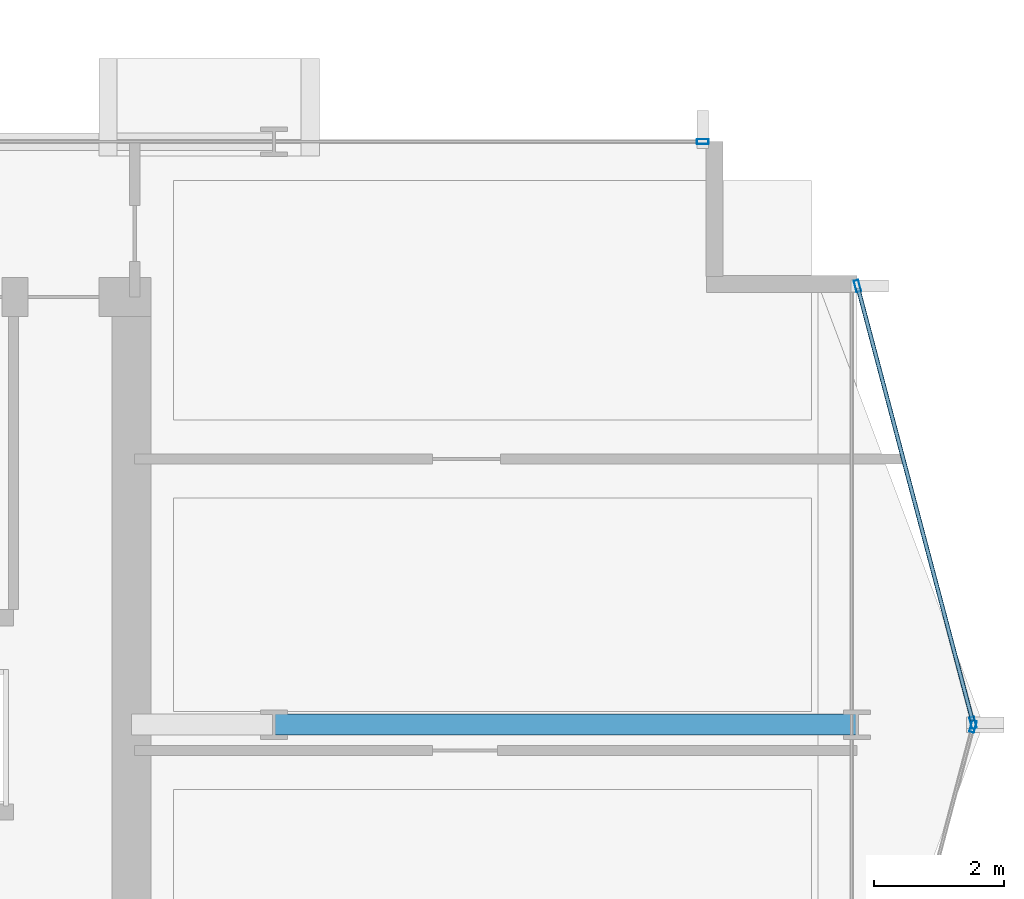
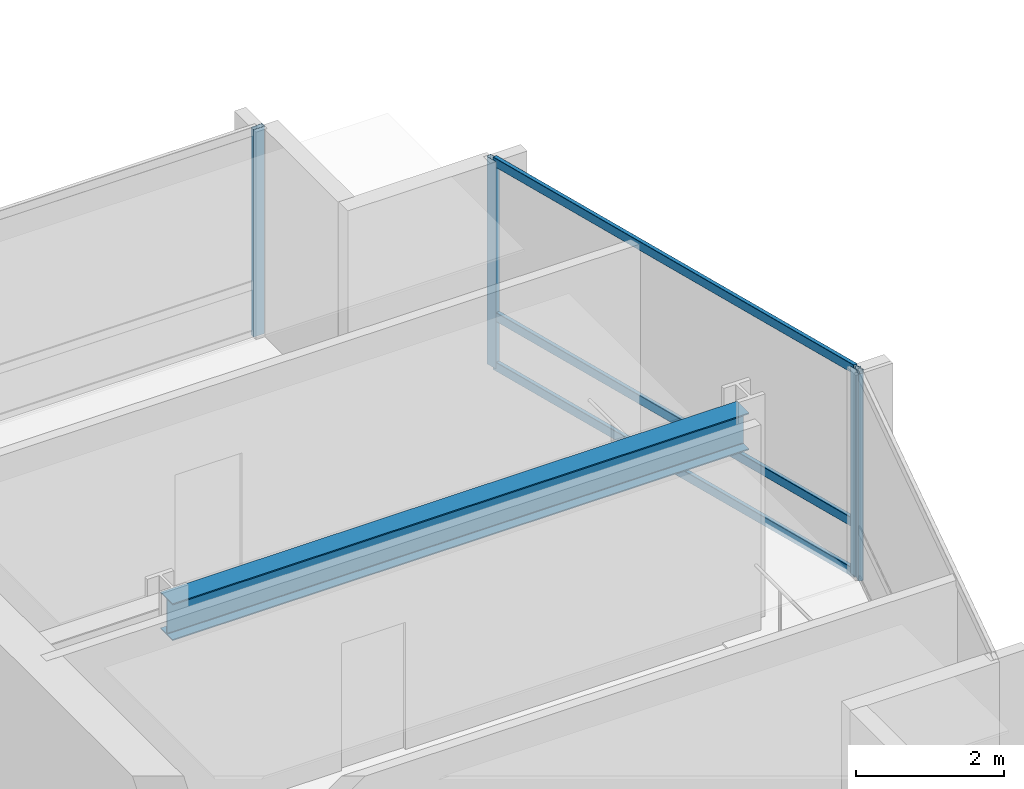
# One storey, part 14 of 29: 7 members, 1 beam, 3 elements without a shape of their own.
"""IFC4 building model written with IfcOpenShell, lengths in metres."""

import ifcopenshell
import ifcopenshell.guid

model = None  # the IFC model being written
_history = None  # IfcOwnerHistory: only IFC2X3 demands one
_inside = {}  # id of a spatial element -> (the spatial element, [elements in it])
_under = {}  # id of a project, library or spatial element -> (it, [spatial elements below it])
_declared = {}  # id of a project -> (the project, [libraries it declares])
_typed = {}  # id of a type object -> (the type object, [elements of that type])
_made_of = {}  # id of a material, layer set ... -> (it, [elements and type objects made of it])


def new_model(schema):
    """Start an empty IFC model of exactly this schema.

    Asked for "IFC4X3", IfcOpenShell would pick the latest addendum, in which some entities
    have other attributes; the version numbers below select the first issue.
    IFC2X3 requires an IfcOwnerHistory on every rooted entity: one is made here for all.
    """
    global model, _history
    if schema == "IFC4X3":
        model = ifcopenshell.file(schema_version=(4, 3, 0, 0))
    else:
        model = ifcopenshell.file(schema=schema)
    _inside.clear()
    _under.clear()
    _declared.clear()
    _typed.clear()
    _made_of.clear()
    _history = None
    if model.schema == "IFC2X3":
        org = make("IfcOrganization", Name="unknown")
        user = make(
            "IfcPersonAndOrganization",
            ThePerson=make("IfcPerson", FamilyName="unknown"),
            TheOrganization=org,
        )
        app = make(
            "IfcApplication",
            ApplicationDeveloper=org,
            Version="unknown",
            ApplicationFullName="unknown",
            ApplicationIdentifier="unknown",
        )
        _history = make(
            "IfcOwnerHistory",
            OwningUser=user,
            OwningApplication=app,
            ChangeAction="ADDED",
            CreationDate=0,
        )
    return model


def make(cls, **values):
    """One entity of the class cls with the attributes given. An attribute that is None is left unset."""
    return model.create_entity(
        cls, **{name: value for name, value in values.items() if value is not None}
    )


def rooted(cls, **values):
    """An entity with a GlobalId (a new one), such as an element, a storey or a relation."""
    return make(cls, GlobalId=ifcopenshell.guid.new(), OwnerHistory=_history, **values)


def si_unit(unit_type, name, prefix=None):
    """IfcSIUnit, for example si_unit("LENGTHUNIT", "METRE", prefix="MILLI")."""
    return make("IfcSIUnit", UnitType=unit_type, Prefix=prefix, Name=name)


def assignment(units):
    """IfcUnitAssignment: the units of a project."""
    return None if units is None else make("IfcUnitAssignment", Units=units)


def point(xyz):
    """IfcCartesianPoint."""
    return None if xyz is None else make("IfcCartesianPoint", Coordinates=xyz)


def direction(xyz):
    """IfcDirection."""
    return None if xyz is None else make("IfcDirection", DirectionRatios=xyz)


def frame(location, z_axis=None, x_axis=None):
    """IfcAxis2Placement3D, a coordinate frame: its origin and axes. An axis left out is left unset."""
    return make(
        "IfcAxis2Placement3D",
        Location=point(location),
        Axis=direction(z_axis),
        RefDirection=direction(x_axis),
    )


def frame_2d(location, x_axis=None):
    """IfcAxis2Placement2D, a coordinate frame in the plane: its origin and x axis."""
    return make(
        "IfcAxis2Placement2D", Location=point(location), RefDirection=direction(x_axis)
    )


def origin():
    """The frame at (0, 0, 0) with its axes left unset."""
    return frame((0.0, 0.0, 0.0))


def origin_2d():
    """The frame at (0, 0) in the plane with its x axis left unset."""
    return frame_2d((0.0, 0.0))


def place(relative_to, where):
    """IfcLocalPlacement: puts the frame where relative to a parent placement (None: the world)."""
    return make(
        "IfcLocalPlacement", PlacementRelTo=relative_to, RelativePlacement=where
    )


def context(
    kind, dimensions, precision=None, world=None, true_north=None, identifier=None
):
    """IfcGeometricRepresentationContext, for example the 3D "Model" context."""
    return make(
        "IfcGeometricRepresentationContext",
        ContextIdentifier=identifier,
        ContextType=kind,
        CoordinateSpaceDimension=dimensions,
        Precision=precision,
        WorldCoordinateSystem=world,
        TrueNorth=true_north,
    )


def subcontext(parent, identifier, kind, view, scale=None):
    """IfcGeometricRepresentationSubContext, for example "Body" below "Model"."""
    return make(
        "IfcGeometricRepresentationSubContext",
        ContextIdentifier=identifier,
        ContextType=kind,
        ParentContext=parent,
        TargetScale=scale,
        TargetView=view,
    )


def project(units=None, contexts=None):
    """IfcProject with its units and contexts."""
    return rooted(
        "IfcProject",
        Name="project",
        RepresentationContexts=contexts,
        UnitsInContext=assignment(units),
    )


def spatial(cls, under=None, at=None, **own):
    """A site, building, storey or space (cls), placed at a placement, below another one or the project."""
    s = rooted(cls, ObjectPlacement=at, **own)
    if under is not None:
        _under.setdefault(under.id(), (under, []))[1].append(s)
    return s


def profile(cls, at=None, kind="AREA", **sizes):
    """A parametric profile (cls). Its sizes go by their IFC names, for example OverallWidth=200.0."""
    return make(cls, ProfileType=kind, Position=at, **sizes)


def hollow_rectangle(**sizes):
    """IfcRectangleHollowProfileDef."""
    return profile("IfcRectangleHollowProfileDef", **sizes)


def i_section(**sizes):
    """IfcIShapeProfileDef."""
    return profile("IfcIShapeProfileDef", **sizes)


def extrude(swept, where, along, depth):
    """IfcExtrudedAreaSolid: the profile swept, set in the frame where, extruded along a direction by depth."""
    return make(
        "IfcExtrudedAreaSolid",
        SweptArea=swept,
        Position=where,
        ExtrudedDirection=direction(along),
        Depth=depth,
    )


def shape(context_of_items, identifier, shape_type, items):
    """IfcShapeRepresentation: the items that make up one representation, for example the "Body"."""
    return make(
        "IfcShapeRepresentation",
        ContextOfItems=context_of_items,
        RepresentationIdentifier=identifier,
        RepresentationType=shape_type,
        Items=items,
    )


def material(Name=None, Category=None):
    """IfcMaterial."""
    return make("IfcMaterial", Name=Name, Category=Category)


def layer(
    of_material, thickness, ventilated=None, Name=None, Category=None, Priority=None
):
    """IfcMaterialLayer: one layer of a wall or slab, of a material (None: an air gap)."""
    return make(
        "IfcMaterialLayer",
        Material=of_material,
        LayerThickness=thickness,
        IsVentilated=ventilated,
        Name=Name,
        Category=Category,
        Priority=Priority,
    )


def layer_set(layers, Name=None):
    """IfcMaterialLayerSet."""
    return make("IfcMaterialLayerSet", MaterialLayers=layers, LayerSetName=Name)


def material_profile(
    of_material, cross_section, Name=None, Category=None, Priority=None
):
    """IfcMaterialProfile: a cross section and its material."""
    return make(
        "IfcMaterialProfile",
        Name=Name,
        Material=of_material,
        Profile=cross_section,
        Priority=Priority,
        Category=Category,
    )


def profile_set(profiles, Name=None, composite=None):
    """IfcMaterialProfileSet."""
    return make(
        "IfcMaterialProfileSet",
        Name=Name,
        MaterialProfiles=profiles,
        CompositeProfile=composite,
    )


def made_of(thing, what):
    """Note that an element or type object is made of a material, layer set ...; save() writes the relation."""
    if what is not None:
        _made_of.setdefault(what.id(), (what, []))[1].append(thing)
    return thing


def type_object(cls, material=None, **own):
    """A type object (cls), such as IfcWallType, which elements share."""
    return made_of(rooted(cls, **own), material)


def element(
    cls,
    number,
    at=None,
    inside=None,
    cuts=None,
    type_object=None,
    material=None,
    context=None,
    identifier="Body",
    shape_type=None,
    held_by="IfcProductDefinitionShape",
    body=None,
    shapes=None,
    **own,
):
    """One element of the class cls, such as IfcWall. Its Tag is "e" and its number.

    at: its placement. inside: the storey or other place that contains it. cuts: it is an
    opening in that element (IfcRelVoidsElement). A single representation is given by context,
    identifier, shape_type and body (its items); several are given by shapes. held_by: the class
    of the entity that holds the representations. save() writes the other relations.
    """
    e = rooted(cls, Tag="e%d" % number, ObjectPlacement=at, **own)
    if body is not None:
        shapes = [shape(context, identifier, shape_type, body)]
    if shapes is not None:
        e.Representation = make(held_by, Representations=shapes)
    if inside is not None:
        _inside.setdefault(inside.id(), (inside, []))[1].append(e)
    if cuts is not None:
        rooted(
            "IfcRelVoidsElement", RelatingBuildingElement=cuts, RelatedOpeningElement=e
        )
    if type_object is not None:
        _typed.setdefault(type_object.id(), (type_object, []))[1].append(e)
    return made_of(e, material)


def aggregate(whole, parts):
    """IfcRelAggregates: a whole, such as a stair, and the parts it consists of."""
    return rooted("IfcRelAggregates", RelatingObject=whole, RelatedObjects=parts)


def save(model, path):
    """Write the relations noted so far, then the file.

    IfcRelAggregates (storeys below a building ...), IfcRelContainedInSpatialStructure (elements
    in a storey), IfcRelDefinesByType, IfcRelAssociatesMaterial and IfcRelDeclares: one each for
    every whole, place, type object, material and project.
    """
    for whole, parts in _under.values():
        aggregate(whole, parts)
    for where, things in _inside.values():
        rooted(
            "IfcRelContainedInSpatialStructure",
            RelatedElements=things,
            RelatingStructure=where,
        )
    for kind, things in _typed.values():
        rooted("IfcRelDefinesByType", RelatedObjects=things, RelatingType=kind)
    for what, things in _made_of.values():
        rooted("IfcRelAssociatesMaterial", RelatedObjects=things, RelatingMaterial=what)
    for by, libraries in _declared.values():
        rooted("IfcRelDeclares", RelatingContext=by, RelatedDefinitions=libraries)
    model.write(path)


model = new_model("IFC4")

# Units and contexts
model_context = context("Model", 3, precision=1e-05, world=origin(), true_north=direction((0.0, 1.0)))
body_context = subcontext(model_context, "Body", "Model", "MODEL_VIEW")
ifc_project = project(units=[si_unit("LENGTHUNIT", "METRE"), si_unit("AREAUNIT", "SQUARE_METRE"), si_unit("VOLUMEUNIT", "CUBIC_METRE"), si_unit("PLANEANGLEUNIT", "RADIAN"), si_unit("MASSUNIT", "GRAM", prefix="KILO")], contexts=[model_context])

# Site, building, storey
site_placement = place(None, origin())
site = spatial("IfcSite", under=ifc_project, at=site_placement, CompositionType="ELEMENT")
building_placement = place(site_placement, origin())
building = spatial("IfcBuilding", under=site, at=building_placement, Name="Solvaryn Broadcast Tower", CompositionType="ELEMENT")
storey_placement = place(building_placement, frame((0.0, 0.0, 117.39990234375)))
storey = spatial("IfcBuildingStorey", under=building, at=storey_placement, Name="L28", CompositionType="ELEMENT", Elevation=117.39990234375)

# Beam
ifc_material_1 = material(Name="Steel ASTM A992 Grade 50", Category="steel")
ifc_material_profile_1 = material_profile(ifc_material_1, i_section(OverallWidth=0.323974609375, OverallDepth=0.611083984375, WebThickness=0.0126953125, FlangeThickness=0.01904296875, FilletRadius=0.014892578125, at=origin_2d()))
ifc_profile_set_1 = profile_set([ifc_material_profile_1], Name="Steel ASTM A992 Grade 50")
beam_type = type_object("IfcBeamType", Name="BM-B1-W24X104", PredefinedType="BEAM", material=ifc_profile_set_1)
beam_placement = place(storey_placement, frame((45.0, 18.0, 3.114501953125), z_axis=(1.0, 0.0, 0.0), x_axis=(0.0, 1.0, 0.0)))
element("IfcBeam", 1, at=beam_placement, inside=storey, type_object=beam_type, Name="L28 Primary Beam X (45-54 @ Y=18)", PredefinedType="BEAM", context=body_context, shape_type="SweptSolid", body=[
    extrude(i_section(OverallWidth=0.323974609375, OverallDepth=0.611083984375, WebThickness=0.0126953125, FlangeThickness=0.01904296875, FilletRadius=0.014892578125, at=origin_2d()), origin(), (0.0, 0.0, 1.0), 9.0),
])

# Curtain wall, members
ifc_material_2 = material(Name="Aluminium and Terracotta Unitised Curtain Wall", Category="masonry")
ifc_layer = layer(ifc_material_2, 0.199951171875)
ifc_layer_set = layer_set([ifc_layer], Name="CW-SYS2-LOWMID")
curtain_wall_type = type_object("IfcCurtainWallType", Name="CW-SYS2-LOWMID", PredefinedType="NOTDEFINED", material=ifc_layer_set)
curtain_wall_1_placement = place(storey_placement, origin())
curtain_wall_1 = element("IfcCurtainWall", 2, at=curtain_wall_1_placement, inside=storey, type_object=curtain_wall_type, Name="L28 Curtain Wall ET1", PredefinedType="NOTDEFINED")
ifc_material_3 = material(Name="Anodised Aluminium 6063-T6", Category="aluminium")
ifc_material_profile_2 = material_profile(ifc_material_3, hollow_rectangle(XDim=0.074951171875, YDim=0.179931640625, WallThickness=0.00390625, InnerFilletRadius=0.00390625, OuterFilletRadius=0.008056640625, at=origin_2d()))
ifc_profile_set_2 = profile_set([ifc_material_profile_2], Name="Anodised Aluminium 6063-T6")
member_type_1 = type_object("IfcMemberType", Name="CW-MUL-180", PredefinedType="MULLION", material=ifc_profile_set_2)
member_1_placement = place(storey_placement, frame((54.007568359375, 24.77099609375, 0.0), z_axis=(0.0, 0.0, 1.0), x_axis=(0.966705227863, 0.25589256031, 0.0)))
member_1 = element("IfcMember", 3, at=member_1_placement, type_object=member_type_1, Name="CWS2 mullion 1", PredefinedType="MULLION", context=body_context, shape_type="SweptSolid", body=[
    extrude(hollow_rectangle(XDim=0.074951171875, YDim=0.179931640625, WallThickness=0.00390625, InnerFilletRadius=0.00390625, OuterFilletRadius=0.008056640625, at=origin_2d()), origin(), (0.0, 0.0, 1.0), 3.420166015625),
])
member_2_placement = place(storey_placement, frame((55.792236328125, 18.029052734375, 0.0), z_axis=(0.0, 0.0, 1.0), x_axis=(0.966705227863, 0.25589256031, 0.0)))
member_2 = element("IfcMember", 4, at=member_2_placement, type_object=member_type_1, Name="CWS2 mullion 2", PredefinedType="MULLION", context=body_context, shape_type="SweptSolid", body=[
    extrude(hollow_rectangle(XDim=0.074951171875, YDim=0.179931640625, WallThickness=0.00390625, InnerFilletRadius=0.00390625, OuterFilletRadius=0.008056640625, at=origin_2d()), origin(), (0.0, 0.0, 1.0), 3.420166015625),
])

# Curtain wall, member
curtain_wall_2_placement = place(storey_placement, origin())
curtain_wall_2 = element("IfcCurtainWall", 5, at=curtain_wall_2_placement, inside=storey, type_object=curtain_wall_type, Name="L28 Curtain Wall ET2", PredefinedType="NOTDEFINED")
member_3_placement = place(storey_placement, frame((55.792236328125, 17.970947265625, 0.0), z_axis=(0.0, 0.0, 1.0), x_axis=(0.966705227863, -0.25589256031, 0.0)))
member_3 = element("IfcMember", 6, at=member_3_placement, type_object=member_type_1, Name="CWS2 mullion 1", PredefinedType="MULLION", context=body_context, shape_type="SweptSolid", body=[
    extrude(hollow_rectangle(XDim=0.074951171875, YDim=0.179931640625, WallThickness=0.00390625, InnerFilletRadius=0.00390625, OuterFilletRadius=0.008056640625, at=origin_2d()), origin(), (0.0, 0.0, 1.0), 3.420166015625),
])
aggregate(curtain_wall_2, [member_3])

curtain_wall_3_placement = place(storey_placement, origin())
curtain_wall_3 = element("IfcCurtainWall", 7, at=curtain_wall_3_placement, inside=storey, type_object=curtain_wall_type, Name="L28 Curtain Wall IH", PredefinedType="NOTDEFINED")
member_4_placement = place(storey_placement, frame((51.6201171875, 27.0, 0.0), z_axis=(0.0, 0.0, 1.0), x_axis=(0.0, 1.0, 0.0)))
member_4 = element("IfcMember", 8, at=member_4_placement, type_object=member_type_1, Name="CWS2 mullion 2", PredefinedType="MULLION", context=body_context, shape_type="SweptSolid", body=[
    extrude(hollow_rectangle(XDim=0.074951171875, YDim=0.179931640625, WallThickness=0.00390625, InnerFilletRadius=0.00390625, OuterFilletRadius=0.008056640625, at=origin_2d()), origin(), (0.0, 0.0, 1.0), 3.420166015625),
])
aggregate(curtain_wall_3, [member_4])

# Member
ifc_material_4 = material(Name="Anodised Aluminium 6063-T6", Category="aluminium")
ifc_material_profile_3 = material_profile(ifc_material_4, hollow_rectangle(XDim=0.06494140625, YDim=0.14990234375, WallThickness=0.00390625, InnerFilletRadius=0.00390625, OuterFilletRadius=0.008056640625, at=origin_2d()))
ifc_profile_set_3 = profile_set([ifc_material_profile_3], Name="Anodised Aluminium 6063-T6")
member_type_2 = type_object("IfcMemberType", Name="CW-TRN-150", PredefinedType="USERDEFINED", material=ifc_profile_set_3)
member_5_placement = place(storey_placement, frame((54.015380859375, 24.741943359375, 0.030029296875), z_axis=(0.255897413051, -0.966703943301, 0.0), x_axis=(0.966703943301, 0.255897413051, 0.0)))
member_5 = element("IfcMember", 9, at=member_5_placement, type_object=member_type_2, Name="CWS2 transom 1.1", ObjectType="TRANSOM", PredefinedType="USERDEFINED", context=body_context, shape_type="SweptSolid", body=[
    extrude(hollow_rectangle(XDim=0.06494140625, YDim=0.14990234375, WallThickness=0.00390625, InnerFilletRadius=0.00390625, OuterFilletRadius=0.008056640625, at=origin_2d()), origin(), (0.0, 0.0, 1.0), 6.9140625),
])

member_6_placement = place(storey_placement, frame((54.015380859375, 24.741943359375, 0.85009765625), z_axis=(0.255897413051, -0.966703943301, 0.0), x_axis=(0.966703943301, 0.255897413051, 0.0)))
member_6 = element("IfcMember", 10, at=member_6_placement, type_object=member_type_2, Name="CWS2 transom 1.2", ObjectType="TRANSOM", PredefinedType="USERDEFINED", context=body_context, shape_type="SweptSolid", body=[
    extrude(hollow_rectangle(XDim=0.06494140625, YDim=0.14990234375, WallThickness=0.00390625, InnerFilletRadius=0.00390625, OuterFilletRadius=0.008056640625, at=origin_2d()), origin(), (0.0, 0.0, 1.0), 6.9140625),
])

member_7_placement = place(storey_placement, frame((54.015380859375, 24.741943359375, 3.39013671875), z_axis=(0.255897413051, -0.966703943301, 0.0), x_axis=(0.966703943301, 0.255897413051, 0.0)))
member_7 = element("IfcMember", 11, at=member_7_placement, type_object=member_type_2, Name="CWS2 transom 1.3", ObjectType="TRANSOM", PredefinedType="USERDEFINED", context=body_context, shape_type="SweptSolid", body=[
    extrude(hollow_rectangle(XDim=0.06494140625, YDim=0.14990234375, WallThickness=0.00390625, InnerFilletRadius=0.00390625, OuterFilletRadius=0.008056640625, at=origin_2d()), origin(), (0.0, 0.0, 1.0), 6.9140625),
])

aggregate(curtain_wall_1, [member_1, member_2, member_5, member_6, member_7])

save(model, "model.ifc")
